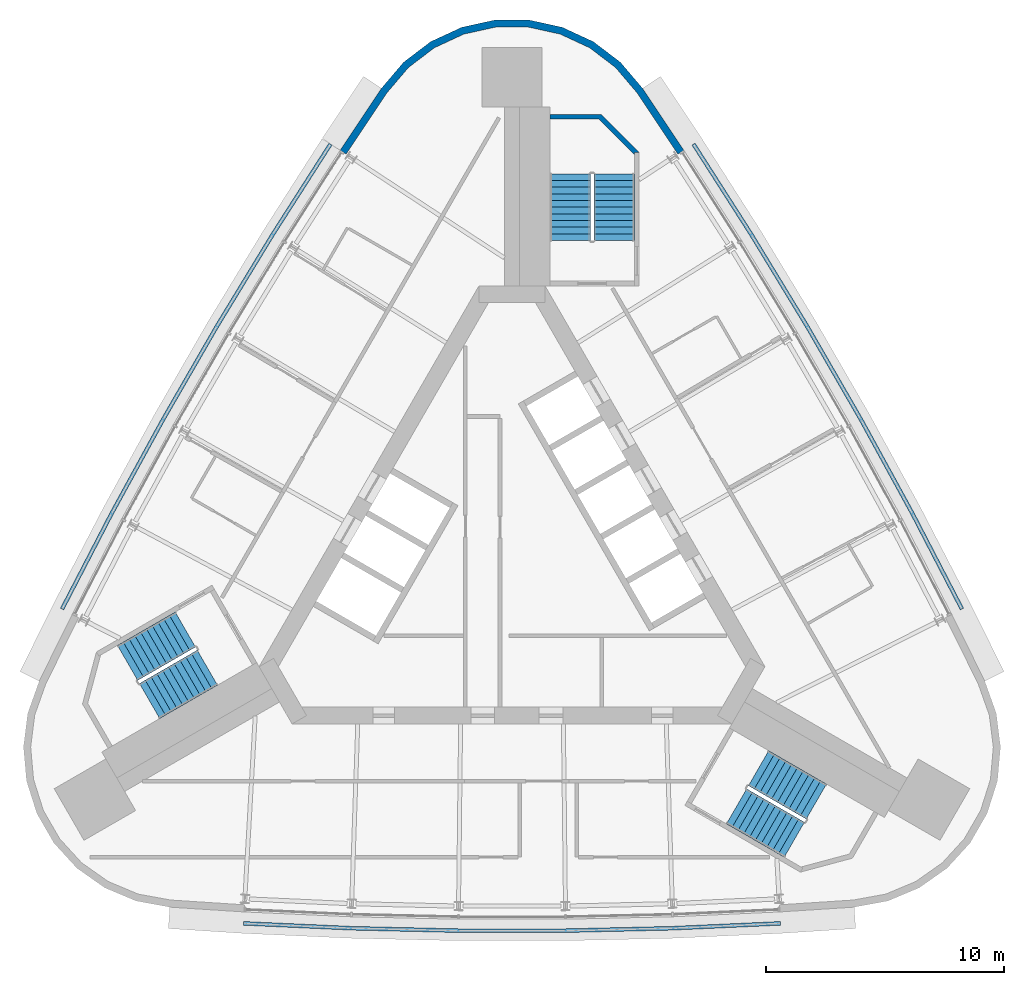
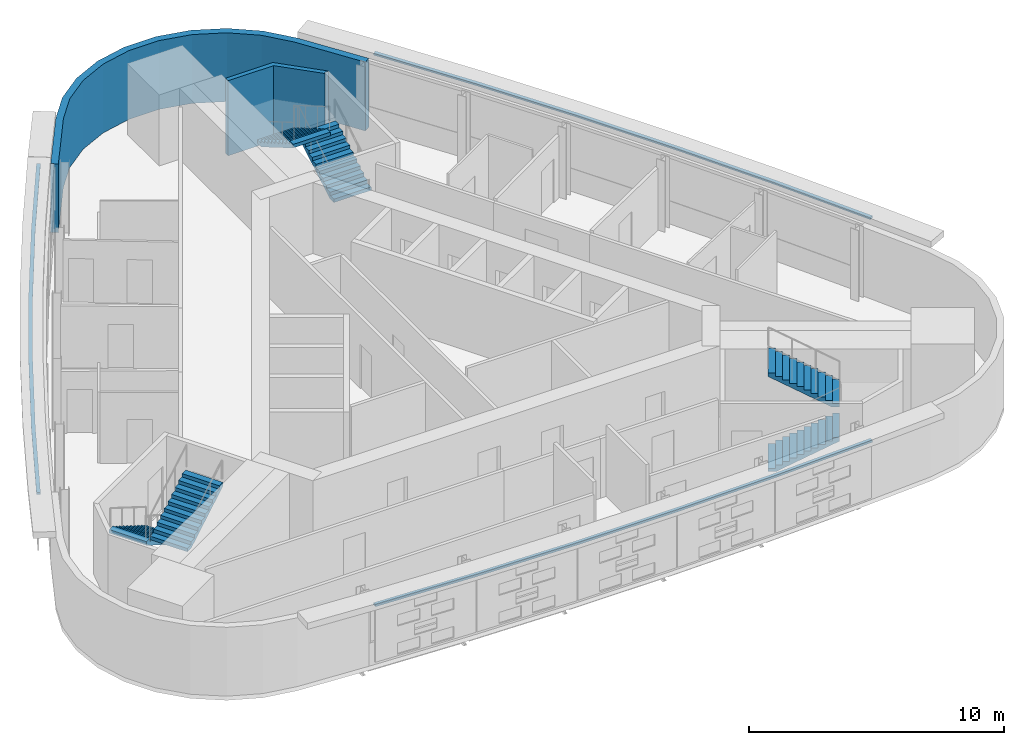
# One storey, part 8 of 9: 6 stair flights, 3 discrete accessories, 2 walls, 3 elements without a shape of their own.
"""IFC4 building model written with IfcOpenShell, lengths in metres."""

from ifc_helpers import new_model, si_unit, direction, frame, origin, place, context, subcontext, project, spatial, polyline, outline, extrude, material, layer, layer_set, type_object, element, aggregate, save


model = new_model("IFC4")

# Units and contexts
model_context = context("Model", 3, precision=1e-05, world=origin(), true_north=direction((0.0, 1.0)))
body_context = subcontext(model_context, "Body", "Model", "MODEL_VIEW")
ifc_project = project(units=[si_unit("LENGTHUNIT", "METRE"), si_unit("AREAUNIT", "SQUARE_METRE"), si_unit("VOLUMEUNIT", "CUBIC_METRE"), si_unit("PLANEANGLEUNIT", "RADIAN"), si_unit("MASSUNIT", "GRAM", prefix="KILO")], contexts=[model_context])

# Site, building, storey
site_placement = place(None, origin())
site = spatial("IfcSite", under=ifc_project, at=site_placement, CompositionType="ELEMENT")
building_placement = place(site_placement, origin())
building = spatial("IfcBuilding", under=site, at=building_placement, Name="Noor Cloister Tower", CompositionType="ELEMENT")
storey_placement = place(building_placement, frame((0.0, 0.0, 236.39990234375)))
storey = spatial("IfcBuildingStorey", under=building, at=storey_placement, Name="L61", CompositionType="ELEMENT", Elevation=236.39990234375)

# Walls
ifc_material_1 = material(Name="Limestone", Category="masonry")
ifc_layer = layer(ifc_material_1, 0.300048828125)
ifc_layer_set = layer_set([ifc_layer], Name="Limestone cladding 300")
wall_type_1 = type_object("IfcWallType", Name="Limestone cladding 300", PredefinedType="NOTDEFINED", material=ifc_layer_set)
wall_1_placement = place(storey_placement, origin())
element("IfcWall", 1, at=wall_1_placement, inside=storey, type_object=wall_type_1, Name="Limestone pier cladding L61 3.1", PredefinedType="NOTDEFINED", context=body_context, shape_type="SweptSolid", body=[
    extrude(outline(polyline([(7.212646484375, 17.147705078125), (5.47802734375, 19.7490234375), (4.55126953125, 20.839599609375), (3.412109375, 21.70556640625), (2.113037109375, 22.306396484375), (0.715576171875, 22.614013671875), (-0.715576171875, 22.614013671875), (-2.113037109375, 22.306396484375), (-3.412109375, 21.70556640625), (-4.55126953125, 20.839599609375), (-5.47802734375, 19.7490234375), (-7.212646484375, 17.147705078125), (-6.962890625, 16.981201171875), (-5.238037109375, 19.568115234375), (-4.34375, 20.62060546875), (-3.25634765625, 21.447021484375), (-2.016845703125, 22.0205078125), (-0.682861328125, 22.31396484375), (0.682861328125, 22.31396484375), (2.016845703125, 22.0205078125), (3.25634765625, 21.447021484375), (4.34375, 20.62060546875), (5.238037109375, 19.568115234375), (6.962890625, 16.981201171875), (7.212646484375, 17.147705078125)])), origin(), (0.0, 0.0, 1.0), 3.300048828125),
])
ifc_material_2 = material(Name="Concrete C60/75", Category="concrete")
wall_type_2 = type_object("IfcWallType", Name="Stair far end wall C60/75", PredefinedType="SHEAR", material=ifc_material_2)
wall_2_placement = place(storey_placement, frame((0.0, 0.0, -0.199951171875)))
element("IfcWall", 2, at=wall_2_placement, inside=storey, type_object=wall_type_2, Name="Stair enclosure wall ST1 L61 far end", PredefinedType="SHEAR", context=body_context, shape_type="SweptSolid", body=[
    extrude(outline(polyline([(5.335693359375, 17.056396484375), (3.735595703125, 18.656494140625), (1.585693359375, 18.656494140625), (1.585693359375, 18.456298828125), (3.65283203125, 18.456298828125), (5.135498046875, 16.9736328125), (5.135498046875, 17.056396484375), (5.135498046875, 17.056396484375), (5.135498046875, 17.056396484375), (5.135498046875, 17.056396484375), (5.135498046875, 17.056396484375), (5.135498046875, 17.056396484375), (5.135498046875, 17.056396484375), (5.135498046875, 17.056396484375), (5.135498046875, 17.056396484375), (5.135498046875, 17.056396484375), (5.135498046875, 17.056396484375), (5.135498046875, 17.056396484375), (5.135498046875, 17.056396484375), (5.135498046875, 17.056396484375), (5.135498046875, 17.056396484375), (5.135498046875, 17.056396484375), (5.135498046875, 17.056396484375), (5.335693359375, 17.056396484375)])), origin(), (0.0, 0.0, 1.0), 3.60009765625),
])

# Stair, stair flights
ifc_material_3 = material(Name="Concrete C40/50", Category="concrete")
stair_type = type_object("IfcStairType", Name="Exit stair 22 risers", PredefinedType="HALF_TURN_STAIR", material=ifc_material_3)
stair_1_placement = place(storey_placement, origin())
stair_1 = element("IfcStair", 3, at=stair_1_placement, inside=storey, type_object=stair_type, Name="Exit stair ST1 L61", PredefinedType="HALF_TURN_STAIR")
ifc_material_4 = material(Name="Concrete C40/50", Category="concrete")
stair_flight_type = type_object("IfcStairFlightType", Name="Exit stair flight", PredefinedType="STRAIGHT", material=ifc_material_4)
stair_flight_1_placement = place(storey_placement, frame((4.28564453125, 13.3564453125, 0.0), z_axis=(0.0, 0.0, 1.0), x_axis=(0.0, 1.0, 0.0)))
stair_flight_1 = element("IfcStairFlight", 4, at=stair_flight_1_placement, type_object=stair_flight_type, Name="ST1 flight 1", NumberOfRisers=11, NumberOfTreads=10, PredefinedType="STRAIGHT", RiserHeight=0.163636364, TreadLength=0.28, context=body_context, shape_type="SweptSolid", body=[
    extrude(outline(polyline([(0.0, 0.0), (0.0, 0.16357421875), (0.280029296875, 0.16357421875), (0.280029296875, 0.327392578125), (0.56005859375, 0.327392578125), (0.56005859375, 0.490966796875), (0.840087890625, 0.490966796875), (0.840087890625, 0.654541015625), (1.1201171875, 0.654541015625), (1.1201171875, 0.818115234375), (1.39990234375, 0.818115234375), (1.39990234375, 0.98193359375), (1.679931640625, 0.98193359375), (1.679931640625, 1.1455078125), (1.9599609375, 1.1455078125), (1.9599609375, 1.30908203125), (2.239990234375, 1.30908203125), (2.239990234375, 1.47265625), (2.52001953125, 1.47265625), (2.52001953125, 1.636474609375), (2.800048828125, 1.636474609375), (2.800048828125, 1.800048828125), (2.800048828125, 1.462646484375), (0.297119140625, 0.0), (0.0, 0.0)])), frame((0.0, 0.85009765625, 0.0), z_axis=(0.0, -1.0, 0.0), x_axis=(1.0, 0.0, 0.0)), (0.0, 0.0, 1.0), 1.699951171875),
])
stair_flight_2_placement = place(storey_placement, frame((2.435546875, 16.156494140625, 1.800048828125), z_axis=(0.0, 0.0, 1.0), x_axis=(0.0, -1.0, 0.0)))
stair_flight_2 = element("IfcStairFlight", 5, at=stair_flight_2_placement, type_object=stair_flight_type, Name="ST1 flight 2", NumberOfRisers=11, NumberOfTreads=10, PredefinedType="STRAIGHT", RiserHeight=0.163636364, TreadLength=0.28, context=body_context, shape_type="SweptSolid", body=[
    extrude(outline(polyline([(0.0, 0.0), (0.0, 0.16357421875), (0.280029296875, 0.16357421875), (0.280029296875, 0.327392578125), (0.56005859375, 0.327392578125), (0.56005859375, 0.490966796875), (0.840087890625, 0.490966796875), (0.840087890625, 0.654541015625), (1.1201171875, 0.654541015625), (1.1201171875, 0.818115234375), (1.39990234375, 0.818115234375), (1.39990234375, 0.98193359375), (1.679931640625, 0.98193359375), (1.679931640625, 1.1455078125), (1.9599609375, 1.1455078125), (1.9599609375, 1.30908203125), (2.239990234375, 1.30908203125), (2.239990234375, 1.47265625), (2.52001953125, 1.47265625), (2.52001953125, 1.636474609375), (2.800048828125, 1.636474609375), (2.800048828125, 1.800048828125), (2.800048828125, 1.462646484375), (0.297119140625, 0.0), (0.0, 0.0)])), frame((0.0, 0.85009765625, 0.0), z_axis=(0.0, -1.0, 0.0), x_axis=(1.0, 0.0, 0.0)), (0.0, 0.0, 1.0), 1.699951171875),
])
aggregate(stair_1, [stair_flight_1, stair_flight_2])

stair_2_placement = place(storey_placement, origin())
stair_2 = element("IfcStair", 6, at=stair_2_placement, inside=storey, type_object=stair_type, Name="Exit stair ST2 L61", PredefinedType="HALF_TURN_STAIR")
stair_flight_3_placement = place(storey_placement, frame((-13.709716796875, -2.966796875, 0.0), z_axis=(0.0, 0.0, 1.0), x_axis=(-0.866025403784, -0.5, 0.0)))
stair_flight_3 = element("IfcStairFlight", 7, at=stair_flight_3_placement, type_object=stair_flight_type, Name="ST2 flight 1", NumberOfRisers=11, NumberOfTreads=10, PredefinedType="STRAIGHT", RiserHeight=0.163636364, TreadLength=0.28, context=body_context, shape_type="SweptSolid", body=[
    extrude(outline(polyline([(0.0, 0.0), (0.0, 0.16357421875), (0.280029296875, 0.16357421875), (0.280029296875, 0.327392578125), (0.56005859375, 0.327392578125), (0.56005859375, 0.490966796875), (0.840087890625, 0.490966796875), (0.840087890625, 0.654541015625), (1.1201171875, 0.654541015625), (1.1201171875, 0.818115234375), (1.39990234375, 0.818115234375), (1.39990234375, 0.98193359375), (1.679931640625, 0.98193359375), (1.679931640625, 1.1455078125), (1.9599609375, 1.1455078125), (1.9599609375, 1.30908203125), (2.239990234375, 1.30908203125), (2.239990234375, 1.47265625), (2.52001953125, 1.47265625), (2.52001953125, 1.636474609375), (2.800048828125, 1.636474609375), (2.800048828125, 1.800048828125), (2.800048828125, 1.462646484375), (0.297119140625, 0.0), (0.0, 0.0)])), frame((0.0, 0.85009765625, 0.0), z_axis=(0.0, -1.0, 0.0), x_axis=(1.0, 0.0, 0.0)), (0.0, 0.0, 1.0), 1.699951171875),
])
stair_flight_4_placement = place(storey_placement, frame((-15.209716796875, -5.968994140625, 1.800048828125), z_axis=(0.0, 0.0, 1.0), x_axis=(0.866025403784, 0.5, 0.0)))
stair_flight_4 = element("IfcStairFlight", 8, at=stair_flight_4_placement, type_object=stair_flight_type, Name="ST2 flight 2", NumberOfRisers=11, NumberOfTreads=10, PredefinedType="STRAIGHT", RiserHeight=0.163636364, TreadLength=0.28, context=body_context, shape_type="SweptSolid", body=[
    extrude(outline(polyline([(0.0, 0.0), (0.0, 0.16357421875), (0.280029296875, 0.16357421875), (0.280029296875, 0.327392578125), (0.56005859375, 0.327392578125), (0.56005859375, 0.490966796875), (0.840087890625, 0.490966796875), (0.840087890625, 0.654541015625), (1.1201171875, 0.654541015625), (1.1201171875, 0.818115234375), (1.39990234375, 0.818115234375), (1.39990234375, 0.98193359375), (1.679931640625, 0.98193359375), (1.679931640625, 1.1455078125), (1.9599609375, 1.1455078125), (1.9599609375, 1.30908203125), (2.239990234375, 1.30908203125), (2.239990234375, 1.47265625), (2.52001953125, 1.47265625), (2.52001953125, 1.636474609375), (2.800048828125, 1.636474609375), (2.800048828125, 1.800048828125), (2.800048828125, 1.462646484375), (0.297119140625, 0.0), (0.0, 0.0)])), frame((0.0, 0.85009765625, 0.0), z_axis=(0.0, -1.0, 0.0), x_axis=(1.0, 0.0, 0.0)), (0.0, 0.0, 1.0), 1.699951171875),
])
aggregate(stair_2, [stair_flight_3, stair_flight_4])

stair_3_placement = place(storey_placement, origin())
stair_3 = element("IfcStair", 9, at=stair_3_placement, inside=storey, type_object=stair_type, Name="Exit stair ST3 L61", PredefinedType="HALF_TURN_STAIR")
stair_flight_5_placement = place(storey_placement, frame((9.424072265625, -10.3896484375, 0.0), z_axis=(0.0, 0.0, 1.0), x_axis=(0.866025403784, -0.5, 0.0)))
stair_flight_5 = element("IfcStairFlight", 10, at=stair_flight_5_placement, type_object=stair_flight_type, Name="ST3 flight 1", NumberOfRisers=11, NumberOfTreads=10, PredefinedType="STRAIGHT", RiserHeight=0.163636364, TreadLength=0.28, context=body_context, shape_type="SweptSolid", body=[
    extrude(outline(polyline([(0.0, 0.0), (0.0, 0.16357421875), (0.280029296875, 0.16357421875), (0.280029296875, 0.327392578125), (0.56005859375, 0.327392578125), (0.56005859375, 0.490966796875), (0.840087890625, 0.490966796875), (0.840087890625, 0.654541015625), (1.1201171875, 0.654541015625), (1.1201171875, 0.818115234375), (1.39990234375, 0.818115234375), (1.39990234375, 0.98193359375), (1.679931640625, 0.98193359375), (1.679931640625, 1.1455078125), (1.9599609375, 1.1455078125), (1.9599609375, 1.30908203125), (2.239990234375, 1.30908203125), (2.239990234375, 1.47265625), (2.52001953125, 1.47265625), (2.52001953125, 1.636474609375), (2.800048828125, 1.636474609375), (2.800048828125, 1.800048828125), (2.800048828125, 1.462646484375), (0.297119140625, 0.0), (0.0, 0.0)])), frame((0.0, 0.85009765625, 0.0), z_axis=(0.0, -1.0, 0.0), x_axis=(1.0, 0.0, 0.0)), (0.0, 0.0, 1.0), 1.699951171875),
])
stair_flight_6_placement = place(storey_placement, frame((12.77392578125, -10.1875, 1.800048828125), z_axis=(0.0, 0.0, 1.0), x_axis=(-0.866025403784, 0.5, 0.0)))
stair_flight_6 = element("IfcStairFlight", 11, at=stair_flight_6_placement, type_object=stair_flight_type, Name="ST3 flight 2", NumberOfRisers=11, NumberOfTreads=10, PredefinedType="STRAIGHT", RiserHeight=0.163636364, TreadLength=0.28, context=body_context, shape_type="SweptSolid", body=[
    extrude(outline(polyline([(0.0, 0.0), (0.0, 0.16357421875), (0.280029296875, 0.16357421875), (0.280029296875, 0.327392578125), (0.56005859375, 0.327392578125), (0.56005859375, 0.490966796875), (0.840087890625, 0.490966796875), (0.840087890625, 0.654541015625), (1.1201171875, 0.654541015625), (1.1201171875, 0.818115234375), (1.39990234375, 0.818115234375), (1.39990234375, 0.98193359375), (1.679931640625, 0.98193359375), (1.679931640625, 1.1455078125), (1.9599609375, 1.1455078125), (1.9599609375, 1.30908203125), (2.239990234375, 1.30908203125), (2.239990234375, 1.47265625), (2.52001953125, 1.47265625), (2.52001953125, 1.636474609375), (2.800048828125, 1.636474609375), (2.800048828125, 1.800048828125), (2.800048828125, 1.462646484375), (0.297119140625, 0.0), (0.0, 0.0)])), frame((0.0, 0.85009765625, 0.0), z_axis=(0.0, -1.0, 0.0), x_axis=(1.0, 0.0, 0.0)), (0.0, 0.0, 1.0), 1.699951171875),
])
aggregate(stair_3, [stair_flight_5, stair_flight_6])

# Discrete accessories
ifc_material_5 = material(Name="Stainless steel grade 316", Category="steel")
discrete_accessory_type = type_object("IfcDiscreteAccessoryType", Name="Stainless hanger rail", PredefinedType="BRACKET", material=ifc_material_5)
discrete_accessory_1_placement = place(storey_placement, frame((0.0, 0.0, 3.2001953125)))
element("IfcDiscreteAccessory", 12, at=discrete_accessory_1_placement, inside=storey, type_object=discrete_accessory_type, Name="Hanger rail L61", PredefinedType="BRACKET", context=body_context, shape_type="SweptSolid", body=[
    extrude(outline(polyline([(-7.684326171875, 17.44921875), (-10.11181640625, 13.65283203125), (-12.4560546875, 9.796875), (-14.71240234375, 5.888916015625), (-16.879638671875, 1.9306640625), (-18.95361328125, -2.06982421875), (-18.811767578125, -2.1435546875), (-16.738525390625, 1.85546875), (-14.572998046875, 5.810546875), (-12.318359375, 9.71533203125), (-9.97607421875, 13.568115234375), (-7.549560546875, 17.363037109375), (-7.684326171875, 17.44921875)])), origin(), (0.0, 0.0, 1.0), 0.099853515625),
])
discrete_accessory_2_placement = place(storey_placement, frame((0.0, 0.0, 3.2001953125)))
element("IfcDiscreteAccessory", 13, at=discrete_accessory_2_placement, inside=storey, type_object=discrete_accessory_type, Name="Hanger rail L61", PredefinedType="BRACKET", context=body_context, shape_type="SweptSolid", body=[
    extrude(outline(polyline([(-11.269287109375, -15.37939453125), (-6.767822265625, -15.58349609375), (-2.25634765625, -15.685791015625), (2.25634765625, -15.685791015625), (6.767822265625, -15.58349609375), (11.269287109375, -15.37939453125), (11.26220703125, -15.2197265625), (6.76220703125, -15.423583984375), (2.25439453125, -15.52587890625), (-2.25439453125, -15.52587890625), (-6.76220703125, -15.423583984375), (-11.26220703125, -15.2197265625), (-11.269287109375, -15.37939453125)])), origin(), (0.0, 0.0, 1.0), 0.099853515625),
])
discrete_accessory_3_placement = place(storey_placement, frame((0.0, 0.0, 3.2001953125)))
element("IfcDiscreteAccessory", 14, at=discrete_accessory_3_placement, inside=storey, type_object=discrete_accessory_type, Name="Hanger rail L61", PredefinedType="BRACKET", context=body_context, shape_type="SweptSolid", body=[
    extrude(outline(polyline([(18.95361328125, -2.06982421875), (16.879638671875, 1.9306640625), (14.71240234375, 5.888916015625), (12.4560546875, 9.796875), (10.11181640625, 13.65283203125), (7.684326171875, 17.44921875), (7.549560546875, 17.363037109375), (9.97607421875, 13.568115234375), (12.318359375, 9.71533203125), (14.572998046875, 5.810546875), (16.738525390625, 1.85546875), (18.811767578125, -2.1435546875), (18.95361328125, -2.06982421875)])), origin(), (0.0, 0.0, 1.0), 0.099853515625),
])

save(model, "model.ifc")
